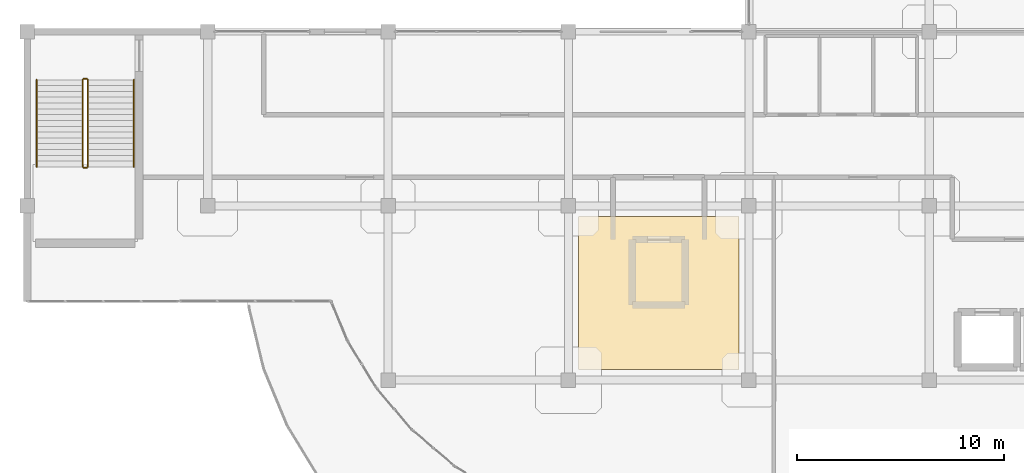
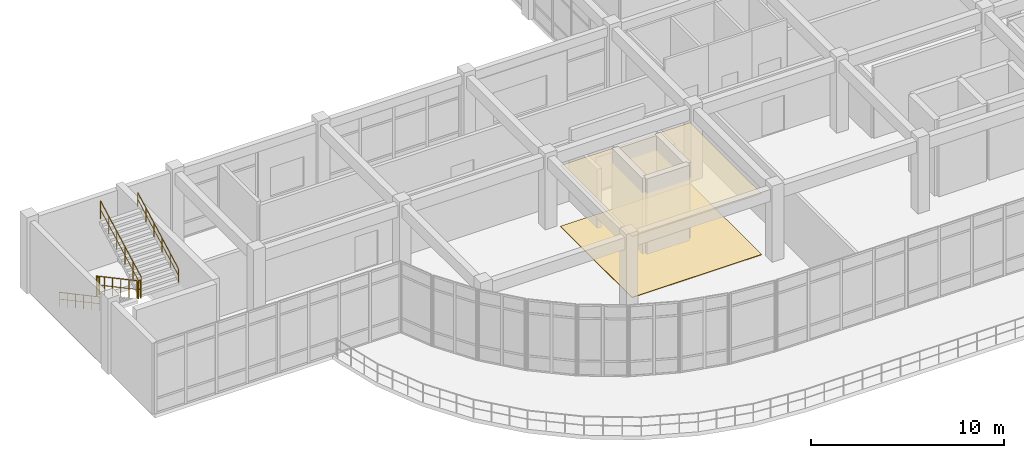
# One storey, part 60 of 64: 6 railings, 2 coverings.
"""IFC4 building model written with IfcOpenShell, lengths in metres."""

import ifcopenshell
import ifcopenshell.guid

model = None  # the IFC model being written
_history = None  # IfcOwnerHistory: only IFC2X3 demands one
_inside = {}  # id of a spatial element -> (the spatial element, [elements in it])
_under = {}  # id of a project, library or spatial element -> (it, [spatial elements below it])
_declared = {}  # id of a project -> (the project, [libraries it declares])
_typed = {}  # id of a type object -> (the type object, [elements of that type])
_made_of = {}  # id of a material, layer set ... -> (it, [elements and type objects made of it])


def new_model(schema):
    """Start an empty IFC model of exactly this schema.

    Asked for "IFC4X3", IfcOpenShell would pick the latest addendum, in which some entities
    have other attributes; the version numbers below select the first issue.
    IFC2X3 requires an IfcOwnerHistory on every rooted entity: one is made here for all.
    """
    global model, _history
    if schema == "IFC4X3":
        model = ifcopenshell.file(schema_version=(4, 3, 0, 0))
    else:
        model = ifcopenshell.file(schema=schema)
    _inside.clear()
    _under.clear()
    _declared.clear()
    _typed.clear()
    _made_of.clear()
    _history = None
    if model.schema == "IFC2X3":
        org = make("IfcOrganization", Name="unknown")
        user = make(
            "IfcPersonAndOrganization",
            ThePerson=make("IfcPerson", FamilyName="unknown"),
            TheOrganization=org,
        )
        app = make(
            "IfcApplication",
            ApplicationDeveloper=org,
            Version="unknown",
            ApplicationFullName="unknown",
            ApplicationIdentifier="unknown",
        )
        _history = make(
            "IfcOwnerHistory",
            OwningUser=user,
            OwningApplication=app,
            ChangeAction="ADDED",
            CreationDate=0,
        )
    return model


def make(cls, **values):
    """One entity of the class cls with the attributes given. An attribute that is None is left unset."""
    return model.create_entity(
        cls, **{name: value for name, value in values.items() if value is not None}
    )


def rooted(cls, **values):
    """An entity with a GlobalId (a new one), such as an element, a storey or a relation."""
    return make(cls, GlobalId=ifcopenshell.guid.new(), OwnerHistory=_history, **values)


def si_unit(unit_type, name, prefix=None):
    """IfcSIUnit, for example si_unit("LENGTHUNIT", "METRE", prefix="MILLI")."""
    return make("IfcSIUnit", UnitType=unit_type, Prefix=prefix, Name=name)


def derived_unit(unit_type, elements):
    """IfcDerivedUnit: a product of units, each with its exponent."""
    return make(
        "IfcDerivedUnit",
        Elements=[
            make("IfcDerivedUnitElement", Unit=unit, Exponent=power)
            for unit, power in elements
        ],
        UnitType=unit_type,
    )


def assignment(units):
    """IfcUnitAssignment: the units of a project."""
    return None if units is None else make("IfcUnitAssignment", Units=units)


def point(xyz):
    """IfcCartesianPoint."""
    return None if xyz is None else make("IfcCartesianPoint", Coordinates=xyz)


def direction(xyz):
    """IfcDirection."""
    return None if xyz is None else make("IfcDirection", DirectionRatios=xyz)


def frame(location, z_axis=None, x_axis=None):
    """IfcAxis2Placement3D, a coordinate frame: its origin and axes. An axis left out is left unset."""
    return make(
        "IfcAxis2Placement3D",
        Location=point(location),
        Axis=direction(z_axis),
        RefDirection=direction(x_axis),
    )


def frame_2d(location, x_axis=None):
    """IfcAxis2Placement2D, a coordinate frame in the plane: its origin and x axis."""
    return make(
        "IfcAxis2Placement2D", Location=point(location), RefDirection=direction(x_axis)
    )


def origin():
    """The frame at (0, 0, 0) with its axes left unset."""
    return frame((0.0, 0.0, 0.0))


def origin_2d():
    """The frame at (0, 0) in the plane with its x axis left unset."""
    return frame_2d((0.0, 0.0))


def place(relative_to, where):
    """IfcLocalPlacement: puts the frame where relative to a parent placement (None: the world)."""
    return make(
        "IfcLocalPlacement", PlacementRelTo=relative_to, RelativePlacement=where
    )


def context(
    kind, dimensions, precision=None, world=None, true_north=None, identifier=None
):
    """IfcGeometricRepresentationContext, for example the 3D "Model" context."""
    return make(
        "IfcGeometricRepresentationContext",
        ContextIdentifier=identifier,
        ContextType=kind,
        CoordinateSpaceDimension=dimensions,
        Precision=precision,
        WorldCoordinateSystem=world,
        TrueNorth=true_north,
    )


def subcontext(parent, identifier, kind, view, scale=None):
    """IfcGeometricRepresentationSubContext, for example "Body" below "Model"."""
    return make(
        "IfcGeometricRepresentationSubContext",
        ContextIdentifier=identifier,
        ContextType=kind,
        ParentContext=parent,
        TargetScale=scale,
        TargetView=view,
    )


def project(units=None, contexts=None):
    """IfcProject with its units and contexts."""
    return rooted(
        "IfcProject",
        Name="project",
        RepresentationContexts=contexts,
        UnitsInContext=assignment(units),
    )


def spatial(cls, under=None, at=None, **own):
    """A site, building, storey or space (cls), placed at a placement, below another one or the project."""
    s = rooted(cls, ObjectPlacement=at, **own)
    if under is not None:
        _under.setdefault(under.id(), (under, []))[1].append(s)
    return s


def polyline(points):
    """IfcPolyline through the points."""
    return make("IfcPolyline", Points=[point(p) for p in points])


def profile(cls, at=None, kind="AREA", **sizes):
    """A parametric profile (cls). Its sizes go by their IFC names, for example OverallWidth=200.0."""
    return make(cls, ProfileType=kind, Position=at, **sizes)


def circle(**sizes):
    """IfcCircleProfileDef."""
    return profile("IfcCircleProfileDef", **sizes)


def outline(outer, holes=None, kind="AREA"):
    """IfcArbitraryClosedProfileDef: a profile drawn as a closed curve; with holes, ...WithVoids."""
    if holes is None:
        return make("IfcArbitraryClosedProfileDef", ProfileType=kind, OuterCurve=outer)
    return make(
        "IfcArbitraryProfileDefWithVoids",
        ProfileType=kind,
        OuterCurve=outer,
        InnerCurves=holes,
    )


def extrude(swept, where, along, depth):
    """IfcExtrudedAreaSolid: the profile swept, set in the frame where, extruded along a direction by depth."""
    return make(
        "IfcExtrudedAreaSolid",
        SweptArea=swept,
        Position=where,
        ExtrudedDirection=direction(along),
        Depth=depth,
    )


def shape(context_of_items, identifier, shape_type, items):
    """IfcShapeRepresentation: the items that make up one representation, for example the "Body"."""
    return make(
        "IfcShapeRepresentation",
        ContextOfItems=context_of_items,
        RepresentationIdentifier=identifier,
        RepresentationType=shape_type,
        Items=items,
    )


def material(Name=None, Category=None):
    """IfcMaterial."""
    return make("IfcMaterial", Name=Name, Category=Category)


def layer(
    of_material, thickness, ventilated=None, Name=None, Category=None, Priority=None
):
    """IfcMaterialLayer: one layer of a wall or slab, of a material (None: an air gap)."""
    return make(
        "IfcMaterialLayer",
        Material=of_material,
        LayerThickness=thickness,
        IsVentilated=ventilated,
        Name=Name,
        Category=Category,
        Priority=Priority,
    )


def layer_set(layers, Name=None):
    """IfcMaterialLayerSet."""
    return make("IfcMaterialLayerSet", MaterialLayers=layers, LayerSetName=Name)


def made_of(thing, what):
    """Note that an element or type object is made of a material, layer set ...; save() writes the relation."""
    if what is not None:
        _made_of.setdefault(what.id(), (what, []))[1].append(thing)
    return thing


def type_object(cls, material=None, **own):
    """A type object (cls), such as IfcWallType, which elements share."""
    return made_of(rooted(cls, **own), material)


def element(
    cls,
    number,
    at=None,
    inside=None,
    cuts=None,
    type_object=None,
    material=None,
    context=None,
    identifier="Body",
    shape_type=None,
    held_by="IfcProductDefinitionShape",
    body=None,
    shapes=None,
    **own,
):
    """One element of the class cls, such as IfcWall. Its Tag is "e" and its number.

    at: its placement. inside: the storey or other place that contains it. cuts: it is an
    opening in that element (IfcRelVoidsElement). A single representation is given by context,
    identifier, shape_type and body (its items); several are given by shapes. held_by: the class
    of the entity that holds the representations. save() writes the other relations.
    """
    e = rooted(cls, Tag="e%d" % number, ObjectPlacement=at, **own)
    if body is not None:
        shapes = [shape(context, identifier, shape_type, body)]
    if shapes is not None:
        e.Representation = make(held_by, Representations=shapes)
    if inside is not None:
        _inside.setdefault(inside.id(), (inside, []))[1].append(e)
    if cuts is not None:
        rooted(
            "IfcRelVoidsElement", RelatingBuildingElement=cuts, RelatedOpeningElement=e
        )
    if type_object is not None:
        _typed.setdefault(type_object.id(), (type_object, []))[1].append(e)
    return made_of(e, material)


def aggregate(whole, parts):
    """IfcRelAggregates: a whole, such as a stair, and the parts it consists of."""
    return rooted("IfcRelAggregates", RelatingObject=whole, RelatedObjects=parts)


def save(model, path):
    """Write the relations noted so far, then the file.

    IfcRelAggregates (storeys below a building ...), IfcRelContainedInSpatialStructure (elements
    in a storey), IfcRelDefinesByType, IfcRelAssociatesMaterial and IfcRelDeclares: one each for
    every whole, place, type object, material and project.
    """
    for whole, parts in _under.values():
        aggregate(whole, parts)
    for where, things in _inside.values():
        rooted(
            "IfcRelContainedInSpatialStructure",
            RelatedElements=things,
            RelatingStructure=where,
        )
    for kind, things in _typed.values():
        rooted("IfcRelDefinesByType", RelatedObjects=things, RelatingType=kind)
    for what, things in _made_of.values():
        rooted("IfcRelAssociatesMaterial", RelatedObjects=things, RelatingMaterial=what)
    for by, libraries in _declared.values():
        rooted("IfcRelDeclares", RelatingContext=by, RelatedDefinitions=libraries)
    model.write(path)


model = new_model("IFC4")

# Units and contexts
model_context = context("Model", 3, precision=1e-05, world=origin(), true_north=direction((0.0, 1.0)))
body_context = subcontext(model_context, "Body", "Model", "MODEL_VIEW")
ifc_project = project(units=[si_unit("LENGTHUNIT", "METRE"), si_unit("AREAUNIT", "SQUARE_METRE"), si_unit("VOLUMEUNIT", "CUBIC_METRE"), si_unit("PLANEANGLEUNIT", "RADIAN"), si_unit("MASSUNIT", "GRAM", prefix="KILO"), derived_unit("THERMALTRANSMITTANCEUNIT", [(si_unit("MASSUNIT", "GRAM", prefix="KILO"), 1), (si_unit("TIMEUNIT", "SECOND"), -3), (si_unit("THERMODYNAMICTEMPERATUREUNIT", "KELVIN"), -1)])], contexts=[model_context])

# Site, building, storey
site_placement = place(None, origin())
site = spatial("IfcSite", under=ifc_project, at=site_placement, CompositionType="ELEMENT")
building_placement = place(site_placement, origin())
building = spatial("IfcBuilding", under=site, at=building_placement, Name="Qinzheling Arcade Emporium", CompositionType="ELEMENT")
storey_placement = place(building_placement, frame((0.0, 0.0, 31.5)))
storey = spatial("IfcBuildingStorey", under=building, at=storey_placement, Name="L07", CompositionType="ELEMENT", Elevation=31.5)

# Railings
ifc_material_1 = material(Name="Galvanised powder-coated tubular steel", Category="steel")
railing_type_1 = type_object("IfcRailingType", Name="Painted Steel Stairwell Guard Railing 1150", PredefinedType="GUARDRAIL", material=ifc_material_1)
railing_1_placement = place(storey_placement, frame((2.669921875, 39.679931640625, 0.14990234375)))
element("IfcRailing", 1, at=railing_1_placement, inside=storey, type_object=railing_type_1, Name="L07 ST02 stair guard 1", PredefinedType="GUARDRAIL", context=body_context, shape_type="SweptSolid", body=[
    extrude(circle(Radius=0.02392578125, at=origin_2d()), frame((0.0, 0.0, 1.1259765625), z_axis=(0.0, -0.881477684796, 0.472225678258), x_axis=(1.0, 0.0, 0.0)), (0.0, 0.0, 1.0), 4.7646484375),
    extrude(circle(Radius=0.01611328125, at=origin_2d()), frame((0.0, 0.0, 0.574951171875), z_axis=(0.0, -0.881477684796, 0.472225678258), x_axis=(1.0, 0.0, 0.0)), (0.0, 0.0, 1.0), 4.7646484375),
    extrude(circle(Radius=0.02099609375, at=origin_2d()), origin(), (0.0, 0.0, 1.0), 1.101806640625),
    extrude(circle(Radius=0.02099609375, at=origin_2d()), frame((0.0, -0.840087890625, 0.449951171875)), (0.0, 0.0, 1.0), 1.101806640625),
    extrude(circle(Radius=0.02099609375, at=origin_2d()), frame((0.0, -1.679931640625, 0.89990234375)), (0.0, 0.0, 1.0), 1.101806640625),
    extrude(circle(Radius=0.02099609375, at=origin_2d()), frame((0.0, -2.52001953125, 1.35009765625)), (0.0, 0.0, 1.0), 1.101806640625),
    extrude(circle(Radius=0.02099609375, at=origin_2d()), frame((0.0, -3.35986328125, 1.800048828125)), (0.0, 0.0, 1.0), 1.101806640625),
    extrude(circle(Radius=0.02099609375, at=origin_2d()), frame((0.0, -4.199951171875, 2.25)), (0.0, 0.0, 1.0), 1.101806640625),
])
railing_2_placement = place(storey_placement, frame((2.719970703125, 35.429931640625, 2.39990234375)))
element("IfcRailing", 2, at=railing_2_placement, inside=storey, type_object=railing_type_1, Name="L07 ST02 stair guard 2", PredefinedType="GUARDRAIL", context=body_context, shape_type="SweptSolid", body=[
    extrude(circle(Radius=0.02392578125, at=origin_2d()), frame((0.0, 0.0, 1.1259765625), z_axis=(1.0, 0.0, 0.0), x_axis=(0.0, 1.0, 0.0)), (0.0, 0.0, 1.0), 0.150146484375),
    extrude(circle(Radius=0.01611328125, at=origin_2d()), frame((0.0, 0.0, 0.574951171875), z_axis=(1.0, 0.0, 0.0), x_axis=(0.0, 1.0, 0.0)), (0.0, 0.0, 1.0), 0.150146484375),
    extrude(circle(Radius=0.02099609375, at=origin_2d()), origin(), (0.0, 0.0, 1.0), 1.101806640625),
    extrude(circle(Radius=0.02099609375, at=origin_2d()), frame((0.150146484375, 0.0, 0.0)), (0.0, 0.0, 1.0), 1.101806640625),
])
railing_3_placement = place(storey_placement, frame((2.919921875, 35.47998046875, 2.550048828125)))
element("IfcRailing", 3, at=railing_3_placement, inside=storey, type_object=railing_type_1, Name="L07 ST02 stair guard 3", PredefinedType="GUARDRAIL", context=body_context, shape_type="SweptSolid", body=[
    extrude(circle(Radius=0.02392578125, at=origin_2d()), frame((0.0, 0.0, 1.1259765625), z_axis=(0.0, 0.881477684796, 0.472225678258), x_axis=(-1.0, 0.0, 0.0)), (0.0, 0.0, 1.0), 4.7646484375),
    extrude(circle(Radius=0.01611328125, at=origin_2d()), frame((0.0, 0.0, 0.574951171875), z_axis=(0.0, 0.881477684796, 0.472225678258), x_axis=(-1.0, 0.0, 0.0)), (0.0, 0.0, 1.0), 4.7646484375),
    extrude(circle(Radius=0.02099609375, at=origin_2d()), origin(), (0.0, 0.0, 1.0), 1.101806640625),
    extrude(circle(Radius=0.02099609375, at=origin_2d()), frame((0.0, 0.840087890625, 0.449951171875)), (0.0, 0.0, 1.0), 1.101806640625),
    extrude(circle(Radius=0.02099609375, at=origin_2d()), frame((0.0, 1.679931640625, 0.89990234375)), (0.0, 0.0, 1.0), 1.101806640625),
    extrude(circle(Radius=0.02099609375, at=origin_2d()), frame((0.0, 2.52001953125, 1.35009765625)), (0.0, 0.0, 1.0), 1.101806640625),
    extrude(circle(Radius=0.02099609375, at=origin_2d()), frame((0.0, 3.35986328125, 1.800048828125)), (0.0, 0.0, 1.0), 1.101806640625),
    extrude(circle(Radius=0.02099609375, at=origin_2d()), frame((0.0, 4.199951171875, 2.25)), (0.0, 0.0, 1.0), 1.101806640625),
])
railing_4_placement = place(storey_placement, frame((2.719970703125, 39.72998046875, 0.0)))
element("IfcRailing", 4, at=railing_4_placement, inside=storey, type_object=railing_type_1, Name="L07 ST02 stair guard 4", PredefinedType="GUARDRAIL", context=body_context, shape_type="SweptSolid", body=[
    extrude(circle(Radius=0.02392578125, at=origin_2d()), frame((0.0, 0.0, 1.1259765625), z_axis=(1.0, 0.0, 0.0), x_axis=(0.0, 1.0, 0.0)), (0.0, 0.0, 1.0), 0.150146484375),
    extrude(circle(Radius=0.01611328125, at=origin_2d()), frame((0.0, 0.0, 0.574951171875), z_axis=(1.0, 0.0, 0.0), x_axis=(0.0, 1.0, 0.0)), (0.0, 0.0, 1.0), 0.150146484375),
    extrude(circle(Radius=0.02099609375, at=origin_2d()), origin(), (0.0, 0.0, 1.0), 1.101806640625),
    extrude(circle(Radius=0.02099609375, at=origin_2d()), frame((0.150146484375, 0.0, 0.0)), (0.0, 0.0, 1.0), 1.101806640625),
])

# Coverings
ifc_material_2 = material(Name="Mineral-fibre acoustic ceiling board")
ifc_layer_1 = layer(ifc_material_2, 0.02490234375, Name="Mineral-fibre acoustic ceiling board")
ifc_layer_set_1 = layer_set([ifc_layer_1], Name="Mineral-fibre acoustic ceiling board")
covering_type_1 = type_object("IfcCoveringType", Name="Perforated Mineral Acoustic Ceiling 25", PredefinedType="CEILING", material=ifc_layer_set_1)
covering_1_placement = place(storey_placement, frame((0.0, 0.0, 3.85009765625)))
element("IfcCovering", 5, at=covering_1_placement, inside=storey, type_object=covering_type_1, Name="Acoustic Ceiling L07", PredefinedType="CEILING", context=body_context, shape_type="SweptSolid", body=[
    extrude(outline(polyline([(26.580078125, 25.699951171875), (34.320068359375, 25.699951171875), (34.320068359375, 33.10009765625), (26.580078125, 33.10009765625), (26.580078125, 25.699951171875)])), origin(), (0.0, 0.0, 1.0), 0.02490234375),
])
ifc_material_3 = material(Name="Polished terrazzo stone finish", Category="masonry")
ifc_layer_2 = layer(ifc_material_3, 0.034912109375, Name="Polished terrazzo stone finish", Category="masonry")
ifc_layer_set_2 = layer_set([ifc_layer_2], Name="Polished terrazzo stone finish")
covering_type_2 = type_object("IfcCoveringType", Name="Polished Terrazzo Retail Flooring 35", PredefinedType="FLOORING", material=ifc_layer_set_2)
covering_2_placement = place(storey_placement, origin())
element("IfcCovering", 6, at=covering_2_placement, inside=storey, type_object=covering_type_2, Name="Terrazzo Flooring L07", PredefinedType="FLOORING", context=body_context, shape_type="SweptSolid", body=[
    extrude(outline(polyline([(26.580078125, 25.699951171875), (34.320068359375, 25.699951171875), (34.320068359375, 33.10009765625), (26.580078125, 33.10009765625), (26.580078125, 25.699951171875)])), origin(), (0.0, 0.0, 1.0), 0.034912109375),
])

# Railings
ifc_material_4 = material(Name="Brushed stainless steel 304", Category="steel")
railing_type_2 = type_object("IfcRailingType", Name="Stainless Steel Wall Handrail 900", PredefinedType="HANDRAIL", material=ifc_material_4)
railing_5_placement = place(storey_placement, frame((0.449951171875, 39.679931640625, 0.14990234375)))
element("IfcRailing", 7, at=railing_5_placement, inside=storey, type_object=railing_type_2, Name="L07 ST02 stair handrail 1", PredefinedType="HANDRAIL", context=body_context, shape_type="SweptSolid", body=[
    extrude(circle(Radius=0.02392578125, at=origin_2d()), frame((0.0, 0.0, 0.8759765625), z_axis=(0.0, -0.881477684796, 0.472225678258), x_axis=(1.0, 0.0, 0.0)), (0.0, 0.0, 1.0), 4.7646484375),
    extrude(circle(Radius=0.01611328125, at=origin_2d()), frame((0.0, 0.0, 0.449951171875), z_axis=(0.0, -0.881477684796, 0.472225678258), x_axis=(1.0, 0.0, 0.0)), (0.0, 0.0, 1.0), 4.7646484375),
    extrude(circle(Radius=0.02099609375, at=origin_2d()), origin(), (0.0, 0.0, 1.0), 0.851806640625),
    extrude(circle(Radius=0.02099609375, at=origin_2d()), frame((0.0, -0.840087890625, 0.449951171875)), (0.0, 0.0, 1.0), 0.851806640625),
    extrude(circle(Radius=0.02099609375, at=origin_2d()), frame((0.0, -1.679931640625, 0.89990234375)), (0.0, 0.0, 1.0), 0.851806640625),
    extrude(circle(Radius=0.02099609375, at=origin_2d()), frame((0.0, -2.52001953125, 1.35009765625)), (0.0, 0.0, 1.0), 0.851806640625),
    extrude(circle(Radius=0.02099609375, at=origin_2d()), frame((0.0, -3.35986328125, 1.800048828125)), (0.0, 0.0, 1.0), 0.851806640625),
    extrude(circle(Radius=0.02099609375, at=origin_2d()), frame((0.0, -4.199951171875, 2.25)), (0.0, 0.0, 1.0), 0.851806640625),
])
railing_6_placement = place(storey_placement, frame((5.139892578125, 35.47998046875, 2.550048828125)))
element("IfcRailing", 8, at=railing_6_placement, inside=storey, type_object=railing_type_2, Name="L07 ST02 stair handrail 2", PredefinedType="HANDRAIL", context=body_context, shape_type="SweptSolid", body=[
    extrude(circle(Radius=0.02392578125, at=origin_2d()), frame((0.0, 0.0, 0.8759765625), z_axis=(0.0, 0.881477684796, 0.472225678258), x_axis=(-1.0, 0.0, 0.0)), (0.0, 0.0, 1.0), 4.7646484375),
    extrude(circle(Radius=0.01611328125, at=origin_2d()), frame((0.0, 0.0, 0.449951171875), z_axis=(0.0, 0.881477684796, 0.472225678258), x_axis=(-1.0, 0.0, 0.0)), (0.0, 0.0, 1.0), 4.7646484375),
    extrude(circle(Radius=0.02099609375, at=origin_2d()), origin(), (0.0, 0.0, 1.0), 0.851806640625),
    extrude(circle(Radius=0.02099609375, at=origin_2d()), frame((0.0, 0.840087890625, 0.449951171875)), (0.0, 0.0, 1.0), 0.851806640625),
    extrude(circle(Radius=0.02099609375, at=origin_2d()), frame((0.0, 1.679931640625, 0.89990234375)), (0.0, 0.0, 1.0), 0.851806640625),
    extrude(circle(Radius=0.02099609375, at=origin_2d()), frame((0.0, 2.52001953125, 1.35009765625)), (0.0, 0.0, 1.0), 0.851806640625),
    extrude(circle(Radius=0.02099609375, at=origin_2d()), frame((0.0, 3.35986328125, 1.800048828125)), (0.0, 0.0, 1.0), 0.851806640625),
    extrude(circle(Radius=0.02099609375, at=origin_2d()), frame((0.0, 4.199951171875, 2.25)), (0.0, 0.0, 1.0), 0.851806640625),
])

save(model, "model.ifc")
